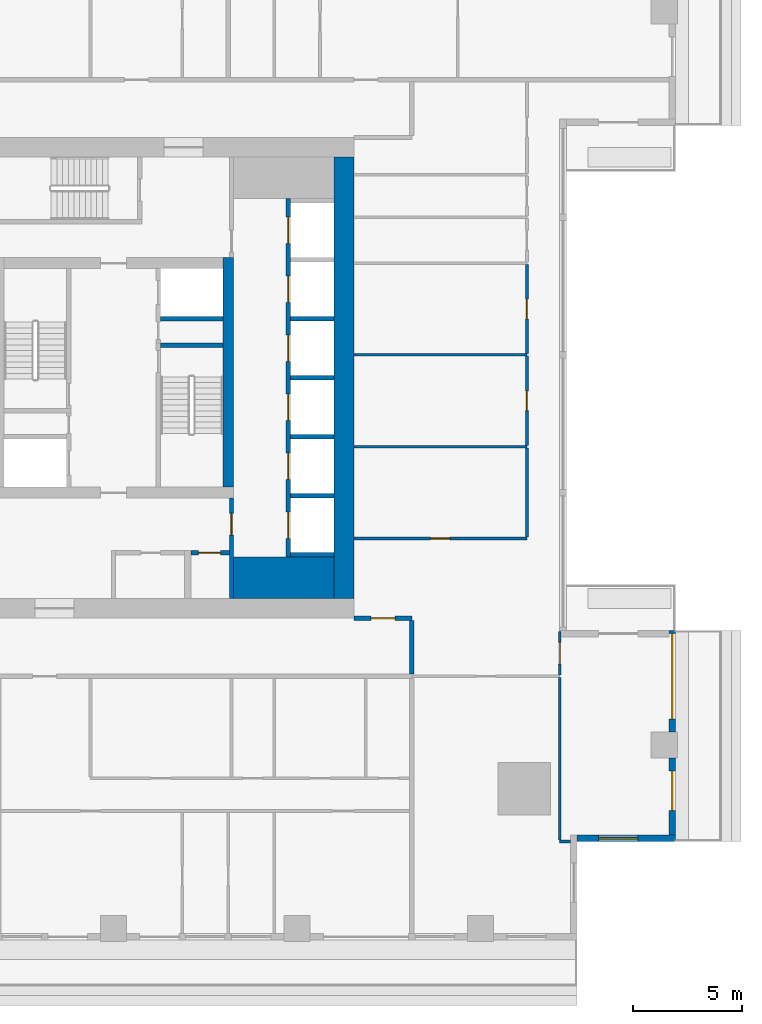
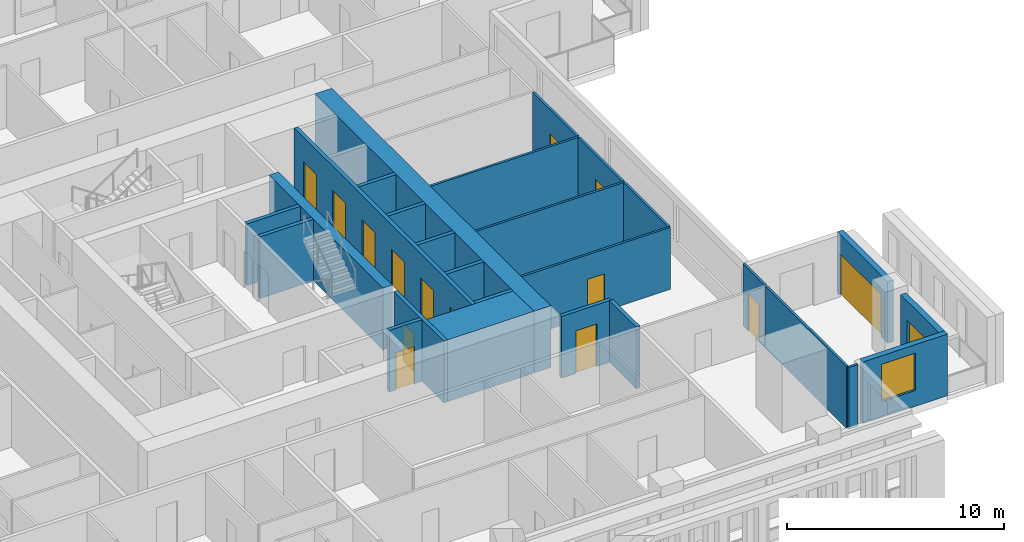
# One storey, part 5 of 15: 27 walls, 15 doors, 1 window, 16 openings.
"""IFC4 building model written with IfcOpenShell, lengths in metres."""

from ifc_helpers import new_model, si_unit, direction, frame, frame_2d, origin, place, context, subcontext, project, spatial, rectangle, extrude, material, layer, layer_set, type_object, element, fill, save


model = new_model("IFC4")

# Units and contexts
model_context = context("Model", 3, precision=1e-05, world=origin(), true_north=direction((0.0, 1.0)))
body_context = subcontext(model_context, "Body", "Model", "MODEL_VIEW")
ifc_project = project(units=[si_unit("LENGTHUNIT", "METRE"), si_unit("AREAUNIT", "SQUARE_METRE"), si_unit("VOLUMEUNIT", "CUBIC_METRE"), si_unit("PLANEANGLEUNIT", "RADIAN"), si_unit("MASSUNIT", "GRAM", prefix="KILO")], contexts=[model_context])

# Site, building, storey
site_placement = place(None, origin())
site = spatial("IfcSite", under=ifc_project, at=site_placement, CompositionType="ELEMENT")
building_placement = place(site_placement, origin())
building = spatial("IfcBuilding", under=site, at=building_placement, Name="Khepri Terraces", CompositionType="ELEMENT")
storey_placement = place(building_placement, frame((0.0, 0.0, 219.60009765625)))
storey = spatial("IfcBuildingStorey", under=building, at=storey_placement, Name="L52", CompositionType="ELEMENT", Elevation=219.60009765625)

# Walls
ifc_material_1 = material(Name="Concrete C50/60", Category="concrete")
ifc_layer_1 = layer(ifc_material_1, 1.89990234375, Name="Concrete C50/60", Category="concrete")
ifc_layer_set_1 = layer_set([ifc_layer_1], Name="Concrete C50/60")
wall_type_1 = type_object("IfcWallType", Name="Core wall 1900 C50/60", PredefinedType="SHEAR", material=ifc_layer_set_1)
wall_1_placement = place(storey_placement, frame((5.5, -9.14990234375, 0.0), z_axis=(0.0, 0.0, 1.0), x_axis=(1.0, 0.0, 0.0)))
element("IfcWall", 1, at=wall_1_placement, inside=storey, type_object=wall_type_1, Name="Core wall PR02 L52", PredefinedType="SHEAR", context=body_context, shape_type="SweptSolid", body=[
    extrude(rectangle(XDim=4.60009765625, YDim=1.89990234375, at=frame_2d((2.300048828125, 0.0))), origin(), (0.0, 0.0, 1.0), 3.47998046875),
])
ifc_layer_2 = layer(ifc_material_1, 0.199951171875, Name="Concrete C50/60", Category="concrete")
ifc_layer_set_2 = layer_set([ifc_layer_2], Name="Concrete C50/60")
wall_type_2 = type_object("IfcWallType", Name="Core wall 200 C50/60", PredefinedType="SHEAR", material=ifc_layer_set_2)
wall_2_placement = place(storey_placement, frame((2.14990234375, 1.5, 0.0), z_axis=(0.0, 0.0, 1.0), x_axis=(1.0, 0.0, 0.0)))
element("IfcWall", 2, at=wall_2_placement, inside=storey, type_object=wall_type_2, Name="Core wall ST04 L52", PredefinedType="SHEAR", context=body_context, shape_type="SweptSolid", body=[
    extrude(rectangle(XDim=2.85009765625, YDim=0.199951171875, at=frame_2d((1.425048828125, 0.0))), origin(), (0.0, 0.0, 1.0), 3.47998046875),
])

# Wall, openings, doors
wall_3_placement = place(storey_placement, frame((8.0, -8.199951171875, 0.0), z_axis=(0.0, 0.0, 1.0), x_axis=(0.0, 1.0, 0.0)))
wall_3 = element("IfcWall", 3, at=wall_3_placement, inside=storey, type_object=wall_type_2, Name="Core wall SH02 L52", PredefinedType="SHEAR", context=body_context, shape_type="SweptSolid", body=[
    extrude(rectangle(XDim=16.39990234375, YDim=0.199951171875, at=frame_2d((8.199951171875, 0.0))), origin(), (0.0, 0.0, 1.0), 3.47998046875),
])
opening_1_placement = place(wall_3_placement, frame((0.85009765625, 0.0, 0.0)))
opening_1 = element("IfcOpeningElement", 4, at=opening_1_placement, cuts=wall_3, Name="Opening L52-C01", PredefinedType="OPENING", context=body_context, shape_type="SweptSolid", body=[
    extrude(rectangle(XDim=1.199951171875, YDim=2.10009765625, at=frame_2d((0.60009765625, 1.050048828125))), frame((0.0, 0.10986328125, 0.0), z_axis=(0.0, -1.0, 0.0), x_axis=(1.0, 0.0, 0.0)), (0.0, 0.0, 1.0), 0.219970703125),
])
opening_2_placement = place(wall_3_placement, frame((3.550048828125, 0.0, 0.0)))
opening_2 = element("IfcOpeningElement", 5, at=opening_2_placement, cuts=wall_3, Name="Opening L52-C02", PredefinedType="OPENING", context=body_context, shape_type="SweptSolid", body=[
    extrude(rectangle(XDim=1.199951171875, YDim=2.10009765625, at=frame_2d((0.60009765625, 1.050048828125))), frame((0.0, 0.10986328125, 0.0), z_axis=(0.0, -1.0, 0.0), x_axis=(1.0, 0.0, 0.0)), (0.0, 0.0, 1.0), 0.219970703125),
])
opening_3_placement = place(wall_3_placement, frame((6.25, 0.0, 0.0)))
opening_3 = element("IfcOpeningElement", 6, at=opening_3_placement, cuts=wall_3, Name="Opening L52-C03", PredefinedType="OPENING", context=body_context, shape_type="SweptSolid", body=[
    extrude(rectangle(XDim=1.199951171875, YDim=2.10009765625, at=frame_2d((0.60009765625, 1.050048828125))), frame((0.0, 0.10986328125, 0.0), z_axis=(0.0, -1.0, 0.0), x_axis=(1.0, 0.0, 0.0)), (0.0, 0.0, 1.0), 0.219970703125),
])
opening_4_placement = place(wall_3_placement, frame((8.949951171875, 0.0, 0.0)))
opening_4 = element("IfcOpeningElement", 7, at=opening_4_placement, cuts=wall_3, Name="Opening L52-C04", PredefinedType="OPENING", context=body_context, shape_type="SweptSolid", body=[
    extrude(rectangle(XDim=1.199951171875, YDim=2.10009765625, at=frame_2d((0.60009765625, 1.050048828125))), frame((0.0, 0.10986328125, 0.0), z_axis=(0.0, -1.0, 0.0), x_axis=(1.0, 0.0, 0.0)), (0.0, 0.0, 1.0), 0.219970703125),
])
opening_5_placement = place(wall_3_placement, frame((11.64990234375, 0.0, 0.0)))
opening_5 = element("IfcOpeningElement", 8, at=opening_5_placement, cuts=wall_3, Name="Opening L52-C05", PredefinedType="OPENING", context=body_context, shape_type="SweptSolid", body=[
    extrude(rectangle(XDim=1.199951171875, YDim=2.10009765625, at=frame_2d((0.60009765625, 1.050048828125))), frame((0.0, 0.10986328125, 0.0), z_axis=(0.0, -1.0, 0.0), x_axis=(1.0, 0.0, 0.0)), (0.0, 0.0, 1.0), 0.219970703125),
])
opening_6_placement = place(wall_3_placement, frame((14.35009765625, 0.0, 0.0)))
opening_6 = element("IfcOpeningElement", 9, at=opening_6_placement, cuts=wall_3, Name="Opening L52-C06", PredefinedType="OPENING", context=body_context, shape_type="SweptSolid", body=[
    extrude(rectangle(XDim=1.199951171875, YDim=2.10009765625, at=frame_2d((0.60009765625, 1.050048828125))), frame((0.0, 0.10986328125, 0.0), z_axis=(0.0, -1.0, 0.0), x_axis=(1.0, 0.0, 0.0)), (0.0, 0.0, 1.0), 0.219970703125),
])
ifc_material_2 = material(Name="Stainless steel 304", Category="steel")
door_type_1 = type_object("IfcDoorType", Name="DR-CORE-LANDING-1200", OperationType="NOTDEFINED", PredefinedType="DOOR", material=ifc_material_2)
door_1_placement = place(opening_1_placement, origin())
door_1 = element("IfcDoor", 10, at=door_1_placement, inside=storey, type_object=door_type_1, Name="Lift landing door L52-C01", OperationType="SLIDING_TO_LEFT", OverallHeight=2.10009765625, OverallWidth=1.199951171875, PredefinedType="DOOR", context=body_context, shape_type="SweptSolid", body=[
    extrude(rectangle(XDim=1.199951171875, YDim=2.10009765625, at=frame_2d((0.60009765625, 1.050048828125))), frame((0.0, 0.02490234375, 0.0), z_axis=(0.0, -1.0, 0.0), x_axis=(1.0, 0.0, 0.0)), (0.0, 0.0, 1.0), 0.050048828125),
])
fill(opening_1, door_1)
door_2_placement = place(opening_2_placement, origin())
door_2 = element("IfcDoor", 11, at=door_2_placement, inside=storey, type_object=door_type_1, Name="Lift landing door L52-C02", OperationType="SLIDING_TO_LEFT", OverallHeight=2.10009765625, OverallWidth=1.199951171875, PredefinedType="DOOR", context=body_context, shape_type="SweptSolid", body=[
    extrude(rectangle(XDim=1.199951171875, YDim=2.10009765625, at=frame_2d((0.60009765625, 1.050048828125))), frame((0.0, 0.02490234375, 0.0), z_axis=(0.0, -1.0, 0.0), x_axis=(1.0, 0.0, 0.0)), (0.0, 0.0, 1.0), 0.050048828125),
])
fill(opening_2, door_2)
door_3_placement = place(opening_3_placement, origin())
door_3 = element("IfcDoor", 12, at=door_3_placement, inside=storey, type_object=door_type_1, Name="Lift landing door L52-C03", OperationType="SLIDING_TO_LEFT", OverallHeight=2.10009765625, OverallWidth=1.199951171875, PredefinedType="DOOR", context=body_context, shape_type="SweptSolid", body=[
    extrude(rectangle(XDim=1.199951171875, YDim=2.10009765625, at=frame_2d((0.60009765625, 1.050048828125))), frame((0.0, 0.02490234375, 0.0), z_axis=(0.0, -1.0, 0.0), x_axis=(1.0, 0.0, 0.0)), (0.0, 0.0, 1.0), 0.050048828125),
])
fill(opening_3, door_3)
door_4_placement = place(opening_4_placement, origin())
door_4 = element("IfcDoor", 13, at=door_4_placement, inside=storey, type_object=door_type_1, Name="Lift landing door L52-C04", OperationType="SLIDING_TO_LEFT", OverallHeight=2.10009765625, OverallWidth=1.199951171875, PredefinedType="DOOR", context=body_context, shape_type="SweptSolid", body=[
    extrude(rectangle(XDim=1.199951171875, YDim=2.10009765625, at=frame_2d((0.60009765625, 1.050048828125))), frame((0.0, 0.02490234375, 0.0), z_axis=(0.0, -1.0, 0.0), x_axis=(1.0, 0.0, 0.0)), (0.0, 0.0, 1.0), 0.050048828125),
])
fill(opening_4, door_4)
door_5_placement = place(opening_5_placement, origin())
door_5 = element("IfcDoor", 14, at=door_5_placement, inside=storey, type_object=door_type_1, Name="Lift landing door L52-C05", OperationType="SLIDING_TO_LEFT", OverallHeight=2.10009765625, OverallWidth=1.199951171875, PredefinedType="DOOR", context=body_context, shape_type="SweptSolid", body=[
    extrude(rectangle(XDim=1.199951171875, YDim=2.10009765625, at=frame_2d((0.60009765625, 1.050048828125))), frame((0.0, 0.02490234375, 0.0), z_axis=(0.0, -1.0, 0.0), x_axis=(1.0, 0.0, 0.0)), (0.0, 0.0, 1.0), 0.050048828125),
])
fill(opening_5, door_5)
door_6_placement = place(opening_6_placement, origin())
door_6 = element("IfcDoor", 15, at=door_6_placement, inside=storey, type_object=door_type_1, Name="Lift landing door L52-C06", OperationType="SLIDING_TO_LEFT", OverallHeight=2.10009765625, OverallWidth=1.199951171875, PredefinedType="DOOR", context=body_context, shape_type="SweptSolid", body=[
    extrude(rectangle(XDim=1.199951171875, YDim=2.10009765625, at=frame_2d((0.60009765625, 1.050048828125))), frame((0.0, 0.02490234375, 0.0), z_axis=(0.0, -1.0, 0.0), x_axis=(1.0, 0.0, 0.0)), (0.0, 0.0, 1.0), 0.050048828125),
])
fill(opening_6, door_6)

# Walls
for number, where, z_axis, x_axis, name in (
    (16, (8.10009765625, -8.10009765625, 0.0), (0.0, 0.0, 1.0), (1.0, 0.0, 0.0), "Core wall SH03 L52"),
    (17, (8.10009765625, -5.39990234375, 0.0), (0.0, 0.0, 1.0), (1.0, 0.0, 0.0), "Core wall SH04 L52"),
    (18, (8.10009765625, -2.699951171875, 0.0), (0.0, 0.0, 1.0), (1.0, 0.0, 0.0), "Core wall SH08 L52"),
    (19, (8.10009765625, 0.0, 0.0), (0.0, 0.0, 1.0), (1.0, 0.0, 0.0), "Core wall SH09 L52"),
):
    element("IfcWall", number, at=place(storey_placement, frame(where, z_axis=z_axis, x_axis=x_axis)), inside=storey, type_object=wall_type_2, Name=name, PredefinedType="SHEAR", context=body_context, shape_type="SweptSolid", body=[
        extrude(rectangle(XDim=2.0, YDim=0.199951171875, at=frame_2d((1.0, 0.0))), origin(), (0.0, 0.0, 1.0), 3.47998046875),
    ])
wall_4_placement = place(storey_placement, frame((2.14990234375, 2.699951171875, 0.0), z_axis=(0.0, 0.0, 1.0), x_axis=(1.0, 0.0, 0.0)))
element("IfcWall", 20, at=wall_4_placement, inside=storey, type_object=wall_type_2, Name="Core wall SH12 L52", PredefinedType="SHEAR", context=body_context, shape_type="SweptSolid", body=[
    extrude(rectangle(XDim=2.85009765625, YDim=0.199951171875, at=frame_2d((1.425048828125, 0.0))), origin(), (0.0, 0.0, 1.0), 3.47998046875),
])
wall_5_placement = place(storey_placement, frame((8.10009765625, 2.699951171875, 0.0), z_axis=(0.0, 0.0, 1.0), x_axis=(1.0, 0.0, 0.0)))
element("IfcWall", 21, at=wall_5_placement, inside=storey, type_object=wall_type_2, Name="Core wall SH13 L52", PredefinedType="SHEAR", context=body_context, shape_type="SweptSolid", body=[
    extrude(rectangle(XDim=2.0, YDim=0.199951171875, at=frame_2d((1.0, 0.0))), origin(), (0.0, 0.0, 1.0), 3.47998046875),
])
ifc_layer_3 = layer(ifc_material_1, 0.5, Name="Concrete C50/60", Category="concrete")
ifc_layer_set_3 = layer_set([ifc_layer_3], Name="Concrete C50/60")
wall_type_3 = type_object("IfcWallType", Name="Core wall 500 C50/60", PredefinedType="SHEAR", material=ifc_layer_set_3)
wall_6_placement = place(storey_placement, frame((5.25, -5.0, 0.0), z_axis=(0.0, 0.0, 1.0), x_axis=(0.0, 1.0, 0.0)))
element("IfcWall", 22, at=wall_6_placement, inside=storey, type_object=wall_type_3, Name="Core wall BX03 L52", PredefinedType="SHEAR", context=body_context, shape_type="SweptSolid", body=[
    extrude(rectangle(XDim=10.5, YDim=0.5, at=frame_2d((5.25, 0.0))), origin(), (0.0, 0.0, 1.0), 3.47998046875),
])
ifc_layer_4 = layer(ifc_material_1, 0.89990234375, Name="Concrete C50/60", Category="concrete")
ifc_layer_set_4 = layer_set([ifc_layer_4], Name="Concrete C50/60")
wall_type_4 = type_object("IfcWallType", Name="Core wall 900 C50/60", PredefinedType="SHEAR", material=ifc_layer_set_4)
wall_7_placement = place(storey_placement, frame((10.550048828125, -10.10009765625, 0.0), z_axis=(0.0, 0.0, 1.0), x_axis=(0.0, 1.0, 0.0)))
element("IfcWall", 23, at=wall_7_placement, inside=storey, type_object=wall_type_4, Name="Core wall OW-E L52", PredefinedType="SHEAR", context=body_context, shape_type="SweptSolid", body=[
    extrude(rectangle(XDim=20.2001953125, YDim=0.89990234375, at=frame_2d((10.10009765625, 0.0))), origin(), (0.0, 0.0, 1.0), 3.47998046875),
])

# Wall, opening, door
ifc_material_3 = material(Name="Fire-rated gypsum board partition")
ifc_layer_5 = layer(ifc_material_3, 0.199951171875, Name="Fire-rated gypsum board partition")
ifc_layer_set_5 = layer_set([ifc_layer_5], Name="Fire-rated gypsum board partition")
wall_type_5 = type_object("IfcWallType", Name="WL-CORE-PART-200", PredefinedType="PARTITIONING", material=ifc_layer_set_5)
wall_8_placement = place(storey_placement, frame((5.39990234375, -10.10009765625, 0.0), z_axis=(0.0, 0.0, 1.0), x_axis=(0.0, 1.0, 0.0)))
wall_8 = element("IfcWall", 24, at=wall_8_placement, inside=storey, type_object=wall_type_5, Name="Core partition PT04 L52", PredefinedType="PARTITIONING", context=body_context, shape_type="SweptSolid", body=[
    extrude(rectangle(XDim=4.60009765625, YDim=0.199951171875, at=frame_2d((2.300048828125, 0.0))), origin(), (0.0, 0.0, 1.0), 3.47998046875),
])
opening_7_placement = place(wall_8_placement, frame((2.89990234375, 0.0, 0.0)))
opening_7 = element("IfcOpeningElement", 25, at=opening_7_placement, cuts=wall_8, Name="Opening L52-C19", PredefinedType="OPENING", context=body_context, shape_type="SweptSolid", body=[
    extrude(rectangle(XDim=1.0, YDim=2.10009765625, at=frame_2d((0.5, 1.050048828125))), frame((0.0, 0.10986328125, 0.0), z_axis=(0.0, -1.0, 0.0), x_axis=(1.0, 0.0, 0.0)), (0.0, 0.0, 1.0), 0.219970703125),
])
ifc_material_4 = material(Name="Painted steel", Category="steel")
door_type_2 = type_object("IfcDoorType", Name="DR-CORE-LOBBY-1000", OperationType="NOTDEFINED", PredefinedType="DOOR", material=ifc_material_4)
door_7_placement = place(opening_7_placement, origin())
door_7 = element("IfcDoor", 26, at=door_7_placement, inside=storey, type_object=door_type_2, Name="Lobby door L52-C19", OperationType="SINGLE_SWING_RIGHT", OverallHeight=2.10009765625, OverallWidth=1.0, PredefinedType="DOOR", context=body_context, shape_type="SweptSolid", body=[
    extrude(rectangle(XDim=1.0, YDim=2.10009765625, at=frame_2d((0.5, 1.050048828125))), frame((0.0, 0.02490234375, 0.0), z_axis=(0.0, -1.0, 0.0), x_axis=(1.0, 0.0, 0.0)), (0.0, 0.0, 1.0), 0.050048828125),
])
fill(opening_7, door_7)

wall_9_placement = place(storey_placement, frame((3.550048828125, -8.0, 0.0), z_axis=(0.0, 0.0, 1.0), x_axis=(1.0, 0.0, 0.0)))
wall_9 = element("IfcWall", 27, at=wall_9_placement, inside=storey, type_object=wall_type_5, Name="Core partition PT07 L52", PredefinedType="PARTITIONING", context=body_context, shape_type="SweptSolid", body=[
    extrude(rectangle(XDim=1.75, YDim=0.199951171875, at=frame_2d((0.875, 0.0))), origin(), (0.0, 0.0, 1.0), 3.47998046875),
])
opening_8_placement = place(wall_9_placement, frame((0.35009765625, 0.0, 0.0)))
opening_8 = element("IfcOpeningElement", 28, at=opening_8_placement, cuts=wall_9, Name="Opening L52-C23", PredefinedType="OPENING", context=body_context, shape_type="SweptSolid", body=[
    extrude(rectangle(XDim=1.0, YDim=2.10009765625, at=frame_2d((0.5, 1.050048828125))), frame((0.0, 0.10986328125, 0.0), z_axis=(0.0, -1.0, 0.0), x_axis=(1.0, 0.0, 0.0)), (0.0, 0.0, 1.0), 0.219970703125),
])
ifc_material_5 = material(Name="Timber veneer", Category="wood")
door_type_3 = type_object("IfcDoorType", Name="DR-CORE-WC-1000", OperationType="NOTDEFINED", PredefinedType="DOOR", material=ifc_material_5)
door_8_placement = place(opening_8_placement, frame((1.0, 0.0, 0.0), z_axis=(0.0, 0.0, 1.0), x_axis=(-1.0, 0.0, 0.0)))
door_8 = element("IfcDoor", 29, at=door_8_placement, inside=storey, type_object=door_type_3, Name="WC door L52-C23", OperationType="SINGLE_SWING_RIGHT", OverallHeight=2.10009765625, OverallWidth=1.0, PredefinedType="DOOR", context=body_context, shape_type="SweptSolid", body=[
    extrude(rectangle(XDim=1.0, YDim=2.10009765625, at=frame_2d((0.5, 1.050048828125))), frame((0.0, 0.02490234375, 0.0), z_axis=(0.0, -1.0, 0.0), x_axis=(1.0, 0.0, 0.0)), (0.0, 0.0, 1.0), 0.050048828125),
])
fill(opening_8, door_8)

# Wall
ifc_material_6 = material(Name="Fire-rated gypsum plasterboard partition, mineral wool")
ifc_layer_6 = layer(ifc_material_6, 0.199951171875, Name="Fire-rated gypsum plasterboard partition, mineral wool")
ifc_layer_set_6 = layer_set([ifc_layer_6], Name="Fire-rated gypsum plasterboard partition, mineral wool")
wall_type_6 = type_object("IfcWallType", Name="WL-CORR-200", PredefinedType="PARTITIONING", material=ifc_layer_set_6)
wall_10_placement = place(storey_placement, frame((13.64990234375, -13.550048828125, 0.0), z_axis=(0.0, 0.0, 1.0), x_axis=(0.0, 1.0, 0.0)))
element("IfcWall", 30, at=wall_10_placement, inside=storey, type_object=wall_type_6, Name="Partition P-028 L52", PredefinedType="PARTITIONING", context=body_context, shape_type="SweptSolid", body=[
    extrude(rectangle(XDim=2.449951171875, YDim=0.199951171875, at=frame_2d((1.22509765625, 0.0))), origin(), (0.0, 0.0, 1.0), 3.47998046875),
])

# Wall, opening, door
wall_11_placement = place(storey_placement, frame((11.0, -11.0, 0.0), z_axis=(0.0, 0.0, 1.0), x_axis=(1.0, 0.0, 0.0)))
wall_11 = element("IfcWall", 31, at=wall_11_placement, inside=storey, type_object=wall_type_6, Name="Partition P-034 L52", PredefinedType="PARTITIONING", context=body_context, shape_type="SweptSolid", body=[
    extrude(rectangle(XDim=2.64990234375, YDim=0.199951171875, at=frame_2d((1.324951171875, 0.0))), origin(), (0.0, 0.0, 1.0), 3.47998046875),
])
opening_9_placement = place(wall_11_placement, frame((0.77490234375, 0.0, 0.0)))
opening_9 = element("IfcOpeningElement", 32, at=opening_9_placement, cuts=wall_11, Name="Opening D1", PredefinedType="OPENING", context=body_context, shape_type="SweptSolid", body=[
    extrude(rectangle(XDim=1.10009765625, YDim=2.39990234375, at=frame_2d((0.550048828125, 1.199951171875))), frame((0.0, 0.10986328125, 0.0), z_axis=(0.0, -1.0, 0.0), x_axis=(1.0, 0.0, 0.0)), (0.0, 0.0, 1.0), 0.219970703125),
])
ifc_material_7 = material(Name="Solid-core timber door leaf, flat entrance door", Category="wood")
door_type_4 = type_object("IfcDoorType", Name="DR-ENT-1100", OperationType="NOTDEFINED", PredefinedType="DOOR", material=ifc_material_7)
door_9_placement = place(opening_9_placement, origin())
door_9 = element("IfcDoor", 33, at=door_9_placement, inside=storey, type_object=door_type_4, Name="Flat B1 entrance door", OperationType="SINGLE_SWING_LEFT", OverallHeight=2.39990234375, OverallWidth=1.10009765625, PredefinedType="DOOR", context=body_context, shape_type="SweptSolid", body=[
    extrude(rectangle(XDim=1.10009765625, YDim=2.39990234375, at=frame_2d((0.550048828125, 1.199951171875))), frame((0.0, 0.02490234375, 0.0), z_axis=(0.0, -1.0, 0.0), x_axis=(1.0, 0.0, 0.0)), (0.0, 0.0, 1.0), 0.050048828125),
])
fill(opening_9, door_9)

# Wall, opening, window
ifc_material_8 = material(Name="Precast concrete C50/60 warm stone", Category="masonry")
ifc_layer_7 = layer(ifc_material_8, 0.300048828125, Name="Precast concrete C50/60 warm stone", Category="masonry")
ifc_layer_set_7 = layer_set([ifc_layer_7], Name="Precast concrete C50/60 warm stone")
wall_type_7 = type_object("IfcWallType", Name="WL-EXT-PRECAST-300", PredefinedType="STANDARD", material=ifc_layer_set_7)
wall_12_placement = place(storey_placement, frame((21.219970703125, -21.070068359375, 0.0), z_axis=(0.0, 0.0, 1.0), x_axis=(1.0, 0.0, 0.0)))
wall_12 = element("IfcWall", 34, at=wall_12_placement, inside=storey, type_object=wall_type_7, Name="External wall L52 S", PredefinedType="STANDARD", context=body_context, shape_type="SweptSolid", body=[
    extrude(rectangle(XDim=4.5, YDim=0.300048828125, at=frame_2d((2.25, 0.0))), origin(), (0.0, 0.0, 1.0), 3.47998046875),
])
opening_10_placement = place(wall_12_placement, frame((0.97998046875, 0.0, 0.89990234375)))
opening_10 = element("IfcOpeningElement", 35, at=opening_10_placement, cuts=wall_12, Name="Opening W1", PredefinedType="OPENING", context=body_context, shape_type="SweptSolid", body=[
    extrude(rectangle(XDim=1.800048828125, YDim=2.10009765625, at=frame_2d((0.89990234375, 1.050048828125))), frame((0.0, 0.16015625, 0.0), z_axis=(0.0, -1.0, 0.0), x_axis=(1.0, 0.0, 0.0)), (0.0, 0.0, 1.0), 0.320068359375),
])
ifc_material_9 = material(Name="Clear glass", Category="glass")
window_type = type_object("IfcWindowType", Name="WIN-RES-1800x2100", PartitioningType="SINGLE_PANEL", PredefinedType="WINDOW", material=ifc_material_9)
window_placement = place(opening_10_placement, origin())
window = element("IfcWindow", 36, at=window_placement, inside=storey, type_object=window_type, Name="Window L52 S", OverallHeight=2.10009765625, OverallWidth=1.800048828125, PartitioningType="SINGLE_PANEL", PredefinedType="WINDOW", context=body_context, shape_type="SweptSolid", body=[
    extrude(rectangle(XDim=1.800048828125, YDim=2.10009765625, at=frame_2d((0.89990234375, 1.050048828125))), frame((0.0, 0.030029296875, 0.0), z_axis=(0.0, -1.0, 0.0), x_axis=(1.0, 0.0, 0.0)), (0.0, 0.0, 1.0), 0.06005859375),
])
fill(opening_10, window)

# Wall, opening, door
wall_13_placement = place(storey_placement, frame((25.570068359375, -20.919921875, 0.0), z_axis=(0.0, 0.0, 1.0), x_axis=(0.0, 1.0, 0.0)))
wall_13 = element("IfcWall", 37, at=wall_13_placement, inside=storey, type_object=wall_type_7, Name="External wall L52 E", PredefinedType="STANDARD", context=body_context, shape_type="SweptSolid", body=[
    extrude(rectangle(XDim=3.52001953125, YDim=0.300048828125, at=frame_2d((1.760009765625, 0.0))), origin(), (0.0, 0.0, 1.0), 3.47998046875),
])
opening_11_placement = place(wall_13_placement, frame((1.1201171875, 0.0, 0.0)))
opening_11 = element("IfcOpeningElement", 38, at=opening_11_placement, cuts=wall_13, Name="Opening ED-L52-01", PredefinedType="OPENING", context=body_context, shape_type="SweptSolid", body=[
    extrude(rectangle(XDim=1.800048828125, YDim=2.39990234375, at=frame_2d((0.89990234375, 1.199951171875))), frame((0.0, 0.16015625, 0.0), z_axis=(0.0, -1.0, 0.0), x_axis=(1.0, 0.0, 0.0)), (0.0, 0.0, 1.0), 0.320068359375),
])
ifc_material_10 = material(Name="Anodised aluminium bronze glazed door", Category="aluminium")
door_type_5 = type_object("IfcDoorType", Name="DR-BAL-SLIDE-1800x2400", OperationType="NOTDEFINED", PredefinedType="DOOR", material=ifc_material_10)
door_10_placement = place(opening_11_placement, origin())
door_10 = element("IfcDoor", 39, at=door_10_placement, inside=storey, type_object=door_type_5, Name="Balcony door L52 E", OperationType="SLIDING_TO_RIGHT", OverallHeight=2.39990234375, OverallWidth=1.800048828125, PredefinedType="DOOR", context=body_context, shape_type="SweptSolid", body=[
    extrude(rectangle(XDim=1.800048828125, YDim=2.39990234375, at=frame_2d((0.89990234375, 1.199951171875))), frame((0.0, 0.02490234375, 0.0), z_axis=(0.0, -1.0, 0.0), x_axis=(1.0, 0.0, 0.0)), (0.0, 0.0, 1.0), 0.050048828125),
])
fill(opening_11, door_10)

wall_14_placement = place(storey_placement, frame((25.570068359375, -16.199951171875, 0.0), z_axis=(0.0, 0.0, 1.0), x_axis=(0.0, 1.0, 0.0)))
wall_14 = element("IfcWall", 40, at=wall_14_placement, inside=storey, type_object=wall_type_7, Name="External wall L52 E", PredefinedType="STANDARD", context=body_context, shape_type="SweptSolid", body=[
    extrude(rectangle(XDim=4.64990234375, YDim=0.300048828125, at=frame_2d((2.324951171875, 0.0))), origin(), (0.0, 0.0, 1.0), 3.47998046875),
])
opening_12_placement = place(wall_14_placement, frame((0.60009765625, 0.0, 0.0)))
opening_12 = element("IfcOpeningElement", 41, at=opening_12_placement, cuts=wall_14, Name="Opening ED-L52-02", PredefinedType="OPENING", context=body_context, shape_type="SweptSolid", body=[
    extrude(rectangle(XDim=3.89990234375, YDim=2.39990234375, at=frame_2d((1.949951171875, 1.199951171875))), frame((0.0, 0.16015625, 0.0), z_axis=(0.0, -1.0, 0.0), x_axis=(1.0, 0.0, 0.0)), (0.0, 0.0, 1.0), 0.320068359375),
])
door_type_6 = type_object("IfcDoorType", Name="DR-BAL-SLIDE-3900x2400", OperationType="NOTDEFINED", PredefinedType="DOOR", material=ifc_material_10)
door_11_placement = place(opening_12_placement, origin())
door_11 = element("IfcDoor", 42, at=door_11_placement, inside=storey, type_object=door_type_6, Name="Balcony door L52 E", OperationType="SLIDING_TO_LEFT", OverallHeight=2.39990234375, OverallWidth=3.89990234375, PredefinedType="DOOR", context=body_context, shape_type="SweptSolid", body=[
    extrude(rectangle(XDim=3.89990234375, YDim=2.39990234375, at=frame_2d((1.949951171875, 1.199951171875))), frame((0.0, 0.02490234375, 0.0), z_axis=(0.0, -1.0, 0.0), x_axis=(1.0, 0.0, 0.0)), (0.0, 0.0, 1.0), 0.050048828125),
])
fill(opening_12, door_11)

# Walls
ifc_material_11 = material(Name="Gypsum plasterboard partition")
ifc_layer_8 = layer(ifc_material_11, 0.1201171875, Name="Gypsum plasterboard partition")
ifc_layer_set_8 = layer_set([ifc_layer_8], Name="Gypsum plasterboard partition")
wall_type_8 = type_object("IfcWallType", Name="WL-PART-120", PredefinedType="PARTITIONING", material=ifc_layer_set_8)
wall_15_placement = place(storey_placement, frame((20.419921875, -21.218994140625, 0.0), z_axis=(0.0, 0.0, 1.0), x_axis=(1.0, 0.0, 0.0)))
element("IfcWall", 43, at=wall_15_placement, inside=storey, type_object=wall_type_8, Name="Partition P-009 L52", PredefinedType="PARTITIONING", context=body_context, shape_type="SweptSolid", body=[
    extrude(rectangle(XDim=0.5009765625, YDim=0.1201171875, at=frame_2d((0.25048828125, 0.0))), origin(), (0.0, 0.0, 1.0), 3.47998046875),
])
wall_16_placement = place(storey_placement, frame((20.419921875, -21.158935546875, 0.0), z_axis=(0.0, 0.0, 1.0), x_axis=(0.0, 1.0, 0.0)))
element("IfcWall", 44, at=wall_16_placement, inside=storey, type_object=wall_type_8, Name="Partition P-010 L52", PredefinedType="PARTITIONING", context=body_context, shape_type="SweptSolid", body=[
    extrude(rectangle(XDim=7.448974609375, YDim=0.1201171875, at=frame_2d((3.724609375, 0.0))), origin(), (0.0, 0.0, 1.0), 3.47998046875),
])

# Wall, opening, door
wall_17_placement = place(storey_placement, frame((20.419921875, -13.590087890625, 0.0), z_axis=(0.0, 0.0, 1.0), x_axis=(0.0, 1.0, 0.0)))
wall_17 = element("IfcWall", 45, at=wall_17_placement, inside=storey, type_object=wall_type_8, Name="Partition P-024 L52", PredefinedType="PARTITIONING", context=body_context, shape_type="SweptSolid", body=[
    extrude(rectangle(XDim=1.97998046875, YDim=0.1201171875, at=frame_2d((0.989990234375, 0.0))), origin(), (0.0, 0.0, 1.0), 3.47998046875),
])
opening_13_placement = place(wall_17_placement, frame((0.489990234375, 0.0, 0.0)))
opening_13 = element("IfcOpeningElement", 46, at=opening_13_placement, cuts=wall_17, Name="Opening D2", PredefinedType="OPENING", context=body_context, shape_type="SweptSolid", body=[
    extrude(rectangle(XDim=1.0, YDim=2.10009765625, at=frame_2d((0.5, 1.050048828125))), frame((0.0, 0.070068359375, 0.0), z_axis=(0.0, -1.0, 0.0), x_axis=(1.0, 0.0, 0.0)), (0.0, 0.0, 1.0), 0.14013671875),
])
ifc_material_12 = material(Name="Timber door leaf, living room door", Category="wood")
door_type_7 = type_object("IfcDoorType", Name="DR-INT-1000", OperationType="NOTDEFINED", PredefinedType="DOOR", material=ifc_material_12)
door_12_placement = place(opening_13_placement, frame((1.0, 0.0, 0.0), z_axis=(0.0, 0.0, 1.0), x_axis=(-1.0, 0.0, 0.0)))
door_12 = element("IfcDoor", 47, at=door_12_placement, inside=storey, type_object=door_type_7, Name="Door Living Room", OperationType="SINGLE_SWING_RIGHT", OverallHeight=2.10009765625, OverallWidth=1.0, PredefinedType="DOOR", context=body_context, shape_type="SweptSolid", body=[
    extrude(rectangle(XDim=1.0, YDim=2.10009765625, at=frame_2d((0.5, 1.050048828125))), frame((0.0, 0.02490234375, 0.0), z_axis=(0.0, -1.0, 0.0), x_axis=(1.0, 0.0, 0.0)), (0.0, 0.0, 1.0), 0.050048828125),
])
fill(opening_13, door_12)

wall_18_placement = place(storey_placement, frame((11.0, -7.35009765625, 0.0), z_axis=(0.0, 0.0, 1.0), x_axis=(1.0, 0.0, 0.0)))
wall_18 = element("IfcWall", 48, at=wall_18_placement, inside=storey, type_object=wall_type_8, Name="Partition P-037 L52", PredefinedType="PARTITIONING", context=body_context, shape_type="SweptSolid", body=[
    extrude(rectangle(XDim=7.919921875, YDim=0.1201171875, at=frame_2d((3.9599609375, 0.0))), origin(), (0.0, 0.0, 1.0), 3.47998046875),
])
opening_14_placement = place(wall_18_placement, frame((3.510009765625, 0.0, 0.0)))
opening_14 = element("IfcOpeningElement", 49, at=opening_14_placement, cuts=wall_18, Name="Opening D3", PredefinedType="OPENING", context=body_context, shape_type="SweptSolid", body=[
    extrude(rectangle(XDim=0.89990234375, YDim=2.10009765625, at=frame_2d((0.449951171875, 1.050048828125))), frame((0.0, 0.070068359375, 0.0), z_axis=(0.0, -1.0, 0.0), x_axis=(1.0, 0.0, 0.0)), (0.0, 0.0, 1.0), 0.14013671875),
])
ifc_material_13 = material(Name="Timber door leaf", Category="wood")
door_type_8 = type_object("IfcDoorType", Name="DR-INT-900", OperationType="NOTDEFINED", PredefinedType="DOOR", material=ifc_material_13)
door_13_placement = place(opening_14_placement, origin())
door_13 = element("IfcDoor", 50, at=door_13_placement, inside=storey, type_object=door_type_8, Name="Door Kitchen", OperationType="SINGLE_SWING_RIGHT", OverallHeight=2.10009765625, OverallWidth=0.89990234375, PredefinedType="DOOR", context=body_context, shape_type="SweptSolid", body=[
    extrude(rectangle(XDim=0.89990234375, YDim=2.10009765625, at=frame_2d((0.449951171875, 1.050048828125))), frame((0.0, 0.02490234375, 0.0), z_axis=(0.0, -1.0, 0.0), x_axis=(1.0, 0.0, 0.0)), (0.0, 0.0, 1.0), 0.050048828125),
])
fill(opening_14, door_13)

# Walls
wall_19_placement = place(storey_placement, frame((18.919921875, -7.2900390625, 0.0), z_axis=(0.0, 0.0, 1.0), x_axis=(0.0, 1.0, 0.0)))
element("IfcWall", 51, at=wall_19_placement, inside=storey, type_object=wall_type_8, Name="Partition P-038 L52", PredefinedType="PARTITIONING", context=body_context, shape_type="SweptSolid", body=[
    extrude(rectangle(XDim=4.080078125, YDim=0.1201171875, at=frame_2d((2.0400390625, 0.0))), origin(), (0.0, 0.0, 1.0), 3.47998046875),
])
wall_20_placement = place(storey_placement, frame((11.0, -3.14990234375, 0.0), z_axis=(0.0, 0.0, 1.0), x_axis=(1.0, 0.0, 0.0)))
element("IfcWall", 52, at=wall_20_placement, inside=storey, type_object=wall_type_8, Name="Partition P-043 L52", PredefinedType="PARTITIONING", context=body_context, shape_type="SweptSolid", body=[
    extrude(rectangle(XDim=7.919921875, YDim=0.1201171875, at=frame_2d((3.9599609375, 0.0))), origin(), (0.0, 0.0, 1.0), 3.47998046875),
])

# Wall, opening, door
wall_21_placement = place(storey_placement, frame((18.919921875, -3.090087890625, 0.0), z_axis=(0.0, 0.0, 1.0), x_axis=(0.0, 1.0, 0.0)))
wall_21 = element("IfcWall", 53, at=wall_21_placement, inside=storey, type_object=wall_type_8, Name="Partition P-046 L52", PredefinedType="PARTITIONING", context=body_context, shape_type="SweptSolid", body=[
    extrude(rectangle(XDim=4.080078125, YDim=0.1201171875, at=frame_2d((2.0400390625, 0.0))), origin(), (0.0, 0.0, 1.0), 3.47998046875),
])
opening_15_placement = place(wall_21_placement, frame((1.590087890625, 0.0, 0.0)))
opening_15 = element("IfcOpeningElement", 54, at=opening_15_placement, cuts=wall_21, Name="Opening D3", PredefinedType="OPENING", context=body_context, shape_type="SweptSolid", body=[
    extrude(rectangle(XDim=0.89990234375, YDim=2.10009765625, at=frame_2d((0.449951171875, 1.050048828125))), frame((0.0, 0.070068359375, 0.0), z_axis=(0.0, -1.0, 0.0), x_axis=(1.0, 0.0, 0.0)), (0.0, 0.0, 1.0), 0.14013671875),
])
door_14_placement = place(opening_15_placement, origin())
door_14 = element("IfcDoor", 55, at=door_14_placement, inside=storey, type_object=door_type_8, Name="Door Service Kitchen", OperationType="SINGLE_SWING_RIGHT", OverallHeight=2.10009765625, OverallWidth=0.89990234375, PredefinedType="DOOR", context=body_context, shape_type="SweptSolid", body=[
    extrude(rectangle(XDim=0.89990234375, YDim=2.10009765625, at=frame_2d((0.449951171875, 1.050048828125))), frame((0.0, 0.02490234375, 0.0), z_axis=(0.0, -1.0, 0.0), x_axis=(1.0, 0.0, 0.0)), (0.0, 0.0, 1.0), 0.050048828125),
])
fill(opening_15, door_14)

# Wall
wall_22_placement = place(storey_placement, frame((11.0, 1.050048828125, 0.0), z_axis=(0.0, 0.0, 1.0), x_axis=(1.0, 0.0, 0.0)))
element("IfcWall", 56, at=wall_22_placement, inside=storey, type_object=wall_type_8, Name="Partition P-049 L52", PredefinedType="PARTITIONING", context=body_context, shape_type="SweptSolid", body=[
    extrude(rectangle(XDim=7.919921875, YDim=0.1201171875, at=frame_2d((3.9599609375, 0.0))), origin(), (0.0, 0.0, 1.0), 3.47998046875),
])

# Wall, opening, door
wall_23_placement = place(storey_placement, frame((18.919921875, 1.110107421875, 0.0), z_axis=(0.0, 0.0, 1.0), x_axis=(0.0, 1.0, 0.0)))
wall_23 = element("IfcWall", 57, at=wall_23_placement, inside=storey, type_object=wall_type_8, Name="Partition P-052 L52", PredefinedType="PARTITIONING", context=body_context, shape_type="SweptSolid", body=[
    extrude(rectangle(XDim=4.079833984375, YDim=0.1201171875, at=frame_2d((2.0400390625, 0.0))), origin(), (0.0, 0.0, 1.0), 3.47998046875),
])
opening_16_placement = place(wall_23_placement, frame((1.590087890625, 0.0, 0.0)))
opening_16 = element("IfcOpeningElement", 58, at=opening_16_placement, cuts=wall_23, Name="Opening D3", PredefinedType="OPENING", context=body_context, shape_type="SweptSolid", body=[
    extrude(rectangle(XDim=0.89990234375, YDim=2.10009765625, at=frame_2d((0.449951171875, 1.050048828125))), frame((0.0, 0.070068359375, 0.0), z_axis=(0.0, -1.0, 0.0), x_axis=(1.0, 0.0, 0.0)), (0.0, 0.0, 1.0), 0.14013671875),
])
door_15_placement = place(opening_16_placement, origin())
door_15 = element("IfcDoor", 59, at=door_15_placement, inside=storey, type_object=door_type_8, Name="Door Staff Bedroom", OperationType="SINGLE_SWING_RIGHT", OverallHeight=2.10009765625, OverallWidth=0.89990234375, PredefinedType="DOOR", context=body_context, shape_type="SweptSolid", body=[
    extrude(rectangle(XDim=0.89990234375, YDim=2.10009765625, at=frame_2d((0.449951171875, 1.050048828125))), frame((0.0, 0.02490234375, 0.0), z_axis=(0.0, -1.0, 0.0), x_axis=(1.0, 0.0, 0.0)), (0.0, 0.0, 1.0), 0.050048828125),
])
fill(opening_16, door_15)

save(model, "model.ifc")
